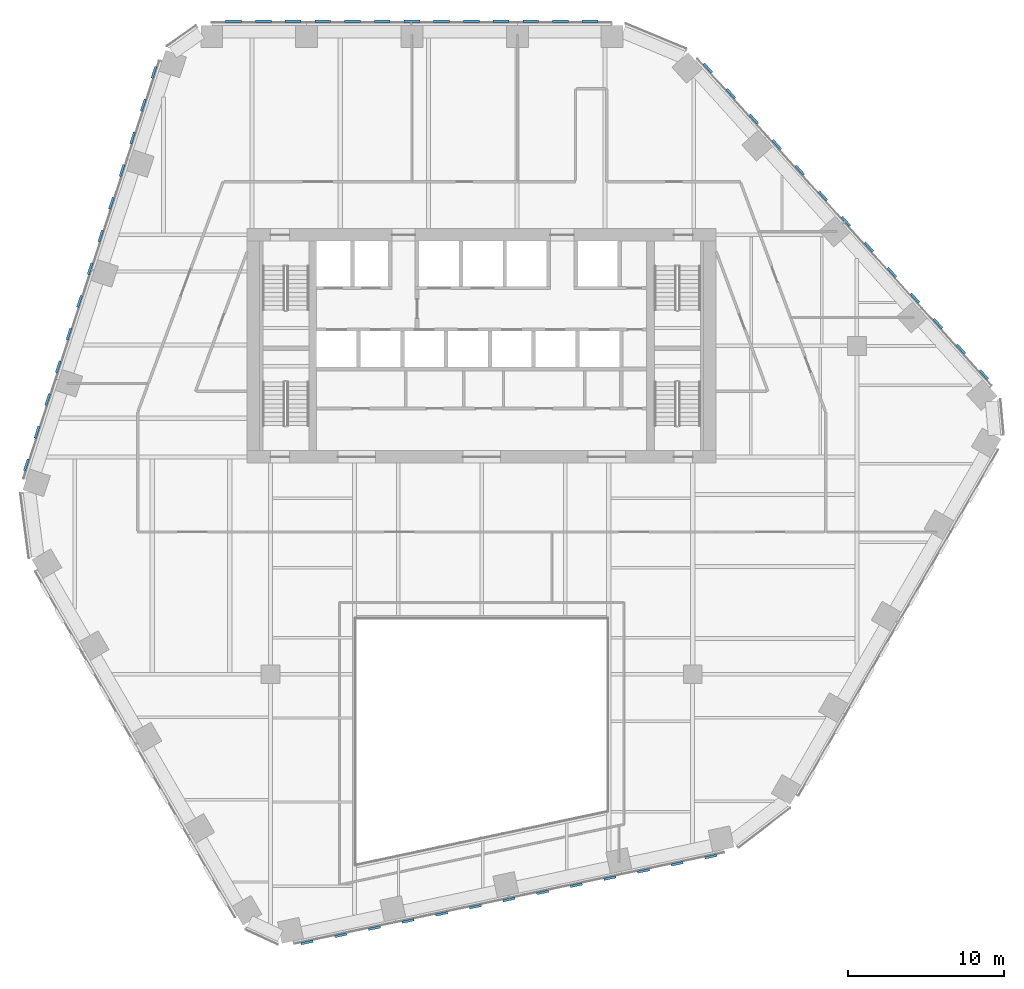
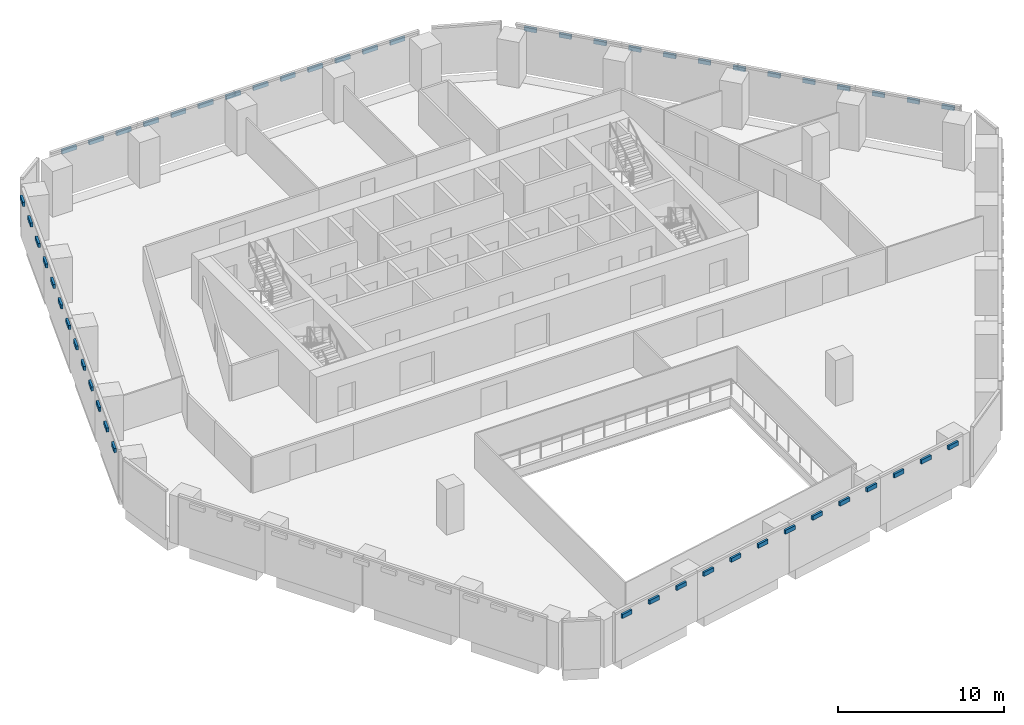
# One storey, part 14 of 17: 52 discrete accessories.
"""IFC4 building model written with IfcOpenShell, lengths in metres."""

import ifcopenshell
import ifcopenshell.guid

model = None  # the IFC model being written
_history = None  # IfcOwnerHistory: only IFC2X3 demands one
_inside = {}  # id of a spatial element -> (the spatial element, [elements in it])
_under = {}  # id of a project, library or spatial element -> (it, [spatial elements below it])
_declared = {}  # id of a project -> (the project, [libraries it declares])
_typed = {}  # id of a type object -> (the type object, [elements of that type])
_made_of = {}  # id of a material, layer set ... -> (it, [elements and type objects made of it])


def new_model(schema):
    """Start an empty IFC model of exactly this schema.

    Asked for "IFC4X3", IfcOpenShell would pick the latest addendum, in which some entities
    have other attributes; the version numbers below select the first issue.
    IFC2X3 requires an IfcOwnerHistory on every rooted entity: one is made here for all.
    """
    global model, _history
    if schema == "IFC4X3":
        model = ifcopenshell.file(schema_version=(4, 3, 0, 0))
    else:
        model = ifcopenshell.file(schema=schema)
    _inside.clear()
    _under.clear()
    _declared.clear()
    _typed.clear()
    _made_of.clear()
    _history = None
    if model.schema == "IFC2X3":
        org = make("IfcOrganization", Name="unknown")
        user = make(
            "IfcPersonAndOrganization",
            ThePerson=make("IfcPerson", FamilyName="unknown"),
            TheOrganization=org,
        )
        app = make(
            "IfcApplication",
            ApplicationDeveloper=org,
            Version="unknown",
            ApplicationFullName="unknown",
            ApplicationIdentifier="unknown",
        )
        _history = make(
            "IfcOwnerHistory",
            OwningUser=user,
            OwningApplication=app,
            ChangeAction="ADDED",
            CreationDate=0,
        )
    return model


def make(cls, **values):
    """One entity of the class cls with the attributes given. An attribute that is None is left unset."""
    return model.create_entity(
        cls, **{name: value for name, value in values.items() if value is not None}
    )


def rooted(cls, **values):
    """An entity with a GlobalId (a new one), such as an element, a storey or a relation."""
    return make(cls, GlobalId=ifcopenshell.guid.new(), OwnerHistory=_history, **values)


def si_unit(unit_type, name, prefix=None):
    """IfcSIUnit, for example si_unit("LENGTHUNIT", "METRE", prefix="MILLI")."""
    return make("IfcSIUnit", UnitType=unit_type, Prefix=prefix, Name=name)


def assignment(units):
    """IfcUnitAssignment: the units of a project."""
    return None if units is None else make("IfcUnitAssignment", Units=units)


def point(xyz):
    """IfcCartesianPoint."""
    return None if xyz is None else make("IfcCartesianPoint", Coordinates=xyz)


def direction(xyz):
    """IfcDirection."""
    return None if xyz is None else make("IfcDirection", DirectionRatios=xyz)


def frame(location, z_axis=None, x_axis=None):
    """IfcAxis2Placement3D, a coordinate frame: its origin and axes. An axis left out is left unset."""
    return make(
        "IfcAxis2Placement3D",
        Location=point(location),
        Axis=direction(z_axis),
        RefDirection=direction(x_axis),
    )


def frame_2d(location, x_axis=None):
    """IfcAxis2Placement2D, a coordinate frame in the plane: its origin and x axis."""
    return make(
        "IfcAxis2Placement2D", Location=point(location), RefDirection=direction(x_axis)
    )


def origin():
    """The frame at (0, 0, 0) with its axes left unset."""
    return frame((0.0, 0.0, 0.0))


def origin_2d():
    """The frame at (0, 0) in the plane with its x axis left unset."""
    return frame_2d((0.0, 0.0))


def place(relative_to, where):
    """IfcLocalPlacement: puts the frame where relative to a parent placement (None: the world)."""
    return make(
        "IfcLocalPlacement", PlacementRelTo=relative_to, RelativePlacement=where
    )


def context(
    kind, dimensions, precision=None, world=None, true_north=None, identifier=None
):
    """IfcGeometricRepresentationContext, for example the 3D "Model" context."""
    return make(
        "IfcGeometricRepresentationContext",
        ContextIdentifier=identifier,
        ContextType=kind,
        CoordinateSpaceDimension=dimensions,
        Precision=precision,
        WorldCoordinateSystem=world,
        TrueNorth=true_north,
    )


def subcontext(parent, identifier, kind, view, scale=None):
    """IfcGeometricRepresentationSubContext, for example "Body" below "Model"."""
    return make(
        "IfcGeometricRepresentationSubContext",
        ContextIdentifier=identifier,
        ContextType=kind,
        ParentContext=parent,
        TargetScale=scale,
        TargetView=view,
    )


def project(units=None, contexts=None):
    """IfcProject with its units and contexts."""
    return rooted(
        "IfcProject",
        Name="project",
        RepresentationContexts=contexts,
        UnitsInContext=assignment(units),
    )


def spatial(cls, under=None, at=None, **own):
    """A site, building, storey or space (cls), placed at a placement, below another one or the project."""
    s = rooted(cls, ObjectPlacement=at, **own)
    if under is not None:
        _under.setdefault(under.id(), (under, []))[1].append(s)
    return s


def profile(cls, at=None, kind="AREA", **sizes):
    """A parametric profile (cls). Its sizes go by their IFC names, for example OverallWidth=200.0."""
    return make(cls, ProfileType=kind, Position=at, **sizes)


def rectangle(**sizes):
    """IfcRectangleProfileDef."""
    return profile("IfcRectangleProfileDef", **sizes)


def extrude(swept, where, along, depth):
    """IfcExtrudedAreaSolid: the profile swept, set in the frame where, extruded along a direction by depth."""
    return make(
        "IfcExtrudedAreaSolid",
        SweptArea=swept,
        Position=where,
        ExtrudedDirection=direction(along),
        Depth=depth,
    )


def shape(context_of_items, identifier, shape_type, items):
    """IfcShapeRepresentation: the items that make up one representation, for example the "Body"."""
    return make(
        "IfcShapeRepresentation",
        ContextOfItems=context_of_items,
        RepresentationIdentifier=identifier,
        RepresentationType=shape_type,
        Items=items,
    )


def material(Name=None, Category=None):
    """IfcMaterial."""
    return make("IfcMaterial", Name=Name, Category=Category)


def made_of(thing, what):
    """Note that an element or type object is made of a material, layer set ...; save() writes the relation."""
    if what is not None:
        _made_of.setdefault(what.id(), (what, []))[1].append(thing)
    return thing


def type_object(cls, material=None, **own):
    """A type object (cls), such as IfcWallType, which elements share."""
    return made_of(rooted(cls, **own), material)


def element(
    cls,
    number,
    at=None,
    inside=None,
    cuts=None,
    type_object=None,
    material=None,
    context=None,
    identifier="Body",
    shape_type=None,
    held_by="IfcProductDefinitionShape",
    body=None,
    shapes=None,
    **own,
):
    """One element of the class cls, such as IfcWall. Its Tag is "e" and its number.

    at: its placement. inside: the storey or other place that contains it. cuts: it is an
    opening in that element (IfcRelVoidsElement). A single representation is given by context,
    identifier, shape_type and body (its items); several are given by shapes. held_by: the class
    of the entity that holds the representations. save() writes the other relations.
    """
    e = rooted(cls, Tag="e%d" % number, ObjectPlacement=at, **own)
    if body is not None:
        shapes = [shape(context, identifier, shape_type, body)]
    if shapes is not None:
        e.Representation = make(held_by, Representations=shapes)
    if inside is not None:
        _inside.setdefault(inside.id(), (inside, []))[1].append(e)
    if cuts is not None:
        rooted(
            "IfcRelVoidsElement", RelatingBuildingElement=cuts, RelatedOpeningElement=e
        )
    if type_object is not None:
        _typed.setdefault(type_object.id(), (type_object, []))[1].append(e)
    return made_of(e, material)


def aggregate(whole, parts):
    """IfcRelAggregates: a whole, such as a stair, and the parts it consists of."""
    return rooted("IfcRelAggregates", RelatingObject=whole, RelatedObjects=parts)


def save(model, path):
    """Write the relations noted so far, then the file.

    IfcRelAggregates (storeys below a building ...), IfcRelContainedInSpatialStructure (elements
    in a storey), IfcRelDefinesByType, IfcRelAssociatesMaterial and IfcRelDeclares: one each for
    every whole, place, type object, material and project.
    """
    for whole, parts in _under.values():
        aggregate(whole, parts)
    for where, things in _inside.values():
        rooted(
            "IfcRelContainedInSpatialStructure",
            RelatedElements=things,
            RelatingStructure=where,
        )
    for kind, things in _typed.values():
        rooted("IfcRelDefinesByType", RelatedObjects=things, RelatingType=kind)
    for what, things in _made_of.values():
        rooted("IfcRelAssociatesMaterial", RelatedObjects=things, RelatingMaterial=what)
    for by, libraries in _declared.values():
        rooted("IfcRelDeclares", RelatingContext=by, RelatedDefinitions=libraries)
    model.write(path)


model = new_model("IFC4")

# Units and contexts
model_context = context("Model", 3, precision=1e-05, world=origin(), true_north=direction((0.0, 1.0)))
body_context = subcontext(model_context, "Body", "Model", "MODEL_VIEW")
ifc_project = project(units=[si_unit("LENGTHUNIT", "METRE"), si_unit("AREAUNIT", "SQUARE_METRE"), si_unit("VOLUMEUNIT", "CUBIC_METRE"), si_unit("PLANEANGLEUNIT", "RADIAN"), si_unit("MASSUNIT", "GRAM", prefix="KILO")], contexts=[model_context])

# Site, building, storey
site_placement = place(None, origin())
site = spatial("IfcSite", under=ifc_project, at=site_placement, CompositionType="ELEMENT")
building_placement = place(site_placement, origin())
building = spatial("IfcBuilding", under=site, at=building_placement, Name="Isthmus Gate Tower", CompositionType="ELEMENT")
storey_placement = place(building_placement, frame((0.0, 0.0, 162.64990234375)))
storey = spatial("IfcBuildingStorey", under=building, at=storey_placement, Name="L40", CompositionType="ELEMENT", Elevation=162.64990234375)

# Discrete accessories
ifc_material_1 = material(Name="Structural steel ASTM A572 Gr 50, white paint system", Category="steel")
discrete_accessory_type_1 = type_object("IfcDiscreteAccessoryType", Name="FIN BRACKET 1016 X 150 X 300", PredefinedType="BRACKET", material=ifc_material_1)
for number, where, z_axis, x_axis, name in (
    (1, (6.938232421875, 28.27490234375, 3.10009765625), (0.0, 0.0, 1.0), (0.0, 1.0, 0.0), "FIN BRACKET"),
    (2, (5.038330078125, 28.27490234375, 3.10009765625), (0.0, 0.0, 1.0), (0.0, 1.0, 0.0), "FIN BRACKET"),
    (3, (3.13818359375, 28.27490234375, 3.10009765625), (0.0, 0.0, 1.0), (0.0, 1.0, 0.0), "FIN BRACKET"),
    (4, (1.23828125, 28.27490234375, 3.10009765625), (0.0, 0.0, 1.0), (0.0, 1.0, 0.0), "FIN BRACKET"),
    (5, (-0.66162109375, 28.27490234375, 3.10009765625), (0.0, 0.0, 1.0), (0.0, 1.0, 0.0), "FIN BRACKET"),
    (6, (-2.561767578125, 28.27490234375, 3.10009765625), (0.0, 0.0, 1.0), (0.0, 1.0, 0.0), "FIN BRACKET"),
    (7, (-4.461669921875, 28.27490234375, 3.10009765625), (0.0, 0.0, 1.0), (0.0, 1.0, 0.0), "FIN BRACKET"),
    (8, (-6.36181640625, 28.27490234375, 3.10009765625), (0.0, 0.0, 1.0), (0.0, 1.0, 0.0), "FIN BRACKET"),
    (9, (-8.26171875, 28.27490234375, 3.10009765625), (0.0, 0.0, 1.0), (0.0, 1.0, 0.0), "FIN BRACKET"),
    (10, (-10.16162109375, 28.27490234375, 3.10009765625), (0.0, 0.0, 1.0), (0.0, 1.0, 0.0), "FIN BRACKET"),
    (11, (-12.061767578125, 28.27490234375, 3.10009765625), (0.0, 0.0, 1.0), (0.0, 1.0, 0.0), "FIN BRACKET"),
    (12, (-13.961669921875, 28.27490234375, 3.10009765625), (0.0, 0.0, 1.0), (0.0, 1.0, 0.0), "FIN BRACKET"),
    (13, (-15.86181640625, 28.27490234375, 3.10009765625), (0.0, 0.0, 1.0), (0.0, 1.0, 0.0), "FIN BRACKET"),
):
    element("IfcDiscreteAccessory", number, at=place(storey_placement, frame(where, z_axis=z_axis, x_axis=x_axis)), inside=storey, type_object=discrete_accessory_type_1, Name=name, PredefinedType="BRACKET", context=body_context, shape_type="SweptSolid", body=[
        extrude(rectangle(XDim=0.14990234375, YDim=1.01611328125, at=origin_2d()), origin(), (0.0, 0.0, 1.0), 0.300048828125),
    ])
ifc_material_2 = material(Name="Structural steel ASTM A572 Gr 50, white paint system", Category="steel")
discrete_accessory_type_2 = type_object("IfcDiscreteAccessoryType", Name="FIN BRACKET 784 X 150 X 300", PredefinedType="BRACKET", material=ifc_material_2)
for number, where, z_axis, x_axis, name in (
    (14, (-20.965087890625, 24.995849609375, 3.10009765625), (0.0, 0.0, 1.0), (-0.951056516295, 0.309016994375, 0.0), "FIN BRACKET"),
    (15, (-21.64501953125, 22.9033203125, 3.10009765625), (0.0, 0.0, 1.0), (-0.951056516295, 0.309016994375, 0.0), "FIN BRACKET"),
    (16, (-22.32470703125, 20.81103515625, 3.10009765625), (0.0, 0.0, 1.0), (-0.951056516295, 0.309016994375, 0.0), "FIN BRACKET"),
    (17, (-23.004638671875, 18.71875, 3.10009765625), (0.0, 0.0, 1.0), (-0.951056516295, 0.309016994375, 0.0), "FIN BRACKET"),
    (18, (-23.6845703125, 16.62646484375, 3.10009765625), (0.0, 0.0, 1.0), (-0.951056516295, 0.309016994375, 0.0), "FIN BRACKET"),
    (19, (-24.3642578125, 14.5341796875, 3.10009765625), (0.0, 0.0, 1.0), (-0.951056516295, 0.309016994375, 0.0), "FIN BRACKET"),
    (20, (-25.044189453125, 12.44189453125, 3.10009765625), (0.0, 0.0, 1.0), (-0.951056516295, 0.309016994375, 0.0), "FIN BRACKET"),
    (21, (-25.723876953125, 10.349365234375, 3.10009765625), (0.0, 0.0, 1.0), (-0.951056516295, 0.309016994375, 0.0), "FIN BRACKET"),
    (22, (-26.40380859375, 8.257080078125, 3.10009765625), (0.0, 0.0, 1.0), (-0.951056516295, 0.309016994375, 0.0), "FIN BRACKET"),
    (23, (-27.083740234375, 6.164794921875, 3.10009765625), (0.0, 0.0, 1.0), (-0.951056516295, 0.309016994375, 0.0), "FIN BRACKET"),
    (24, (-27.763427734375, 4.072509765625, 3.10009765625), (0.0, 0.0, 1.0), (-0.951056516295, 0.309016994375, 0.0), "FIN BRACKET"),
    (25, (-28.443359375, 1.980224609375, 3.10009765625), (0.0, 0.0, 1.0), (-0.951056516295, 0.309016994375, 0.0), "FIN BRACKET"),
    (26, (-29.123291015625, -0.112060546875, 3.10009765625), (0.0, 0.0, 1.0), (-0.951056516295, 0.309016994375, 0.0), "FIN BRACKET"),
    (27, (-11.164306640625, -30.654296875, 3.10009765625), (0.0, 0.0, 1.0), (0.207911690818, -0.978147600734, 0.0), "FIN BRACKET"),
    (28, (-9.012451171875, -30.19677734375, 3.10009765625), (0.0, 0.0, 1.0), (0.207911690818, -0.978147600734, 0.0), "FIN BRACKET"),
    (29, (-6.860595703125, -29.739501953125, 3.10009765625), (0.0, 0.0, 1.0), (0.207911690818, -0.978147600734, 0.0), "FIN BRACKET"),
    (30, (-4.70849609375, -29.281982421875, 3.10009765625), (0.0, 0.0, 1.0), (0.207911690818, -0.978147600734, 0.0), "FIN BRACKET"),
    (31, (-2.556640625, -28.82470703125, 3.10009765625), (0.0, 0.0, 1.0), (0.207911690818, -0.978147600734, 0.0), "FIN BRACKET"),
    (32, (-0.40478515625, -28.3671875, 3.10009765625), (0.0, 0.0, 1.0), (0.207911690818, -0.978147600734, 0.0), "FIN BRACKET"),
    (33, (1.7470703125, -27.90966796875, 3.10009765625), (0.0, 0.0, 1.0), (0.207911690818, -0.978147600734, 0.0), "FIN BRACKET"),
    (34, (3.899169921875, -27.452392578125, 3.10009765625), (0.0, 0.0, 1.0), (0.207911690818, -0.978147600734, 0.0), "FIN BRACKET"),
    (35, (6.051025390625, -26.994873046875, 3.10009765625), (0.0, 0.0, 1.0), (0.207911690818, -0.978147600734, 0.0), "FIN BRACKET"),
    (36, (8.202880859375, -26.53759765625, 3.10009765625), (0.0, 0.0, 1.0), (0.207911690818, -0.978147600734, 0.0), "FIN BRACKET"),
    (37, (10.354736328125, -26.080078125, 3.10009765625), (0.0, 0.0, 1.0), (0.207911690818, -0.978147600734, 0.0), "FIN BRACKET"),
    (38, (12.5068359375, -25.622802734375, 3.10009765625), (0.0, 0.0, 1.0), (0.207911690818, -0.978147600734, 0.0), "FIN BRACKET"),
    (39, (14.65869140625, -25.165283203125, 3.10009765625), (0.0, 0.0, 1.0), (0.207911690818, -0.978147600734, 0.0), "FIN BRACKET"),
    (40, (32.129638671875, 5.658447265625, 3.10009765625), (0.0, 0.0, 1.0), (0.743144825477, 0.669130606359, 0.0), "FIN BRACKET"),
    (41, (30.657470703125, 7.29345703125, 3.10009765625), (0.0, 0.0, 1.0), (0.743144825477, 0.669130606359, 0.0), "FIN BRACKET"),
    (42, (29.185302734375, 8.92822265625, 3.10009765625), (0.0, 0.0, 1.0), (0.743144825477, 0.669130606359, 0.0), "FIN BRACKET"),
    (43, (27.713134765625, 10.563232421875, 3.10009765625), (0.0, 0.0, 1.0), (0.743144825477, 0.669130606359, 0.0), "FIN BRACKET"),
    (44, (26.2412109375, 12.1982421875, 3.10009765625), (0.0, 0.0, 1.0), (0.743144825477, 0.669130606359, 0.0), "FIN BRACKET"),
    (45, (24.76904296875, 13.8330078125, 3.10009765625), (0.0, 0.0, 1.0), (0.743144825477, 0.669130606359, 0.0), "FIN BRACKET"),
    (46, (23.296875, 15.468017578125, 3.10009765625), (0.0, 0.0, 1.0), (0.743144825477, 0.669130606359, 0.0), "FIN BRACKET"),
    (47, (21.824951171875, 17.102783203125, 3.10009765625), (0.0, 0.0, 1.0), (0.743144825477, 0.669130606359, 0.0), "FIN BRACKET"),
    (48, (20.352783203125, 18.73779296875, 3.10009765625), (0.0, 0.0, 1.0), (0.743144825477, 0.669130606359, 0.0), "FIN BRACKET"),
    (49, (18.880615234375, 20.372802734375, 3.10009765625), (0.0, 0.0, 1.0), (0.743144825477, 0.669130606359, 0.0), "FIN BRACKET"),
    (50, (17.40869140625, 22.007568359375, 3.10009765625), (0.0, 0.0, 1.0), (0.743144825477, 0.669130606359, 0.0), "FIN BRACKET"),
    (51, (15.9365234375, 23.642578125, 3.10009765625), (0.0, 0.0, 1.0), (0.743144825477, 0.669130606359, 0.0), "FIN BRACKET"),
    (52, (14.46435546875, 25.277587890625, 3.10009765625), (0.0, 0.0, 1.0), (0.743144825477, 0.669130606359, 0.0), "FIN BRACKET"),
):
    element("IfcDiscreteAccessory", number, at=place(storey_placement, frame(where, z_axis=z_axis, x_axis=x_axis)), inside=storey, type_object=discrete_accessory_type_2, Name=name, PredefinedType="BRACKET", context=body_context, shape_type="SweptSolid", body=[
        extrude(rectangle(XDim=0.14990234375, YDim=0.78369140625, at=origin_2d()), origin(), (0.0, 0.0, 1.0), 0.300048828125),
    ])

save(model, "model.ifc")
